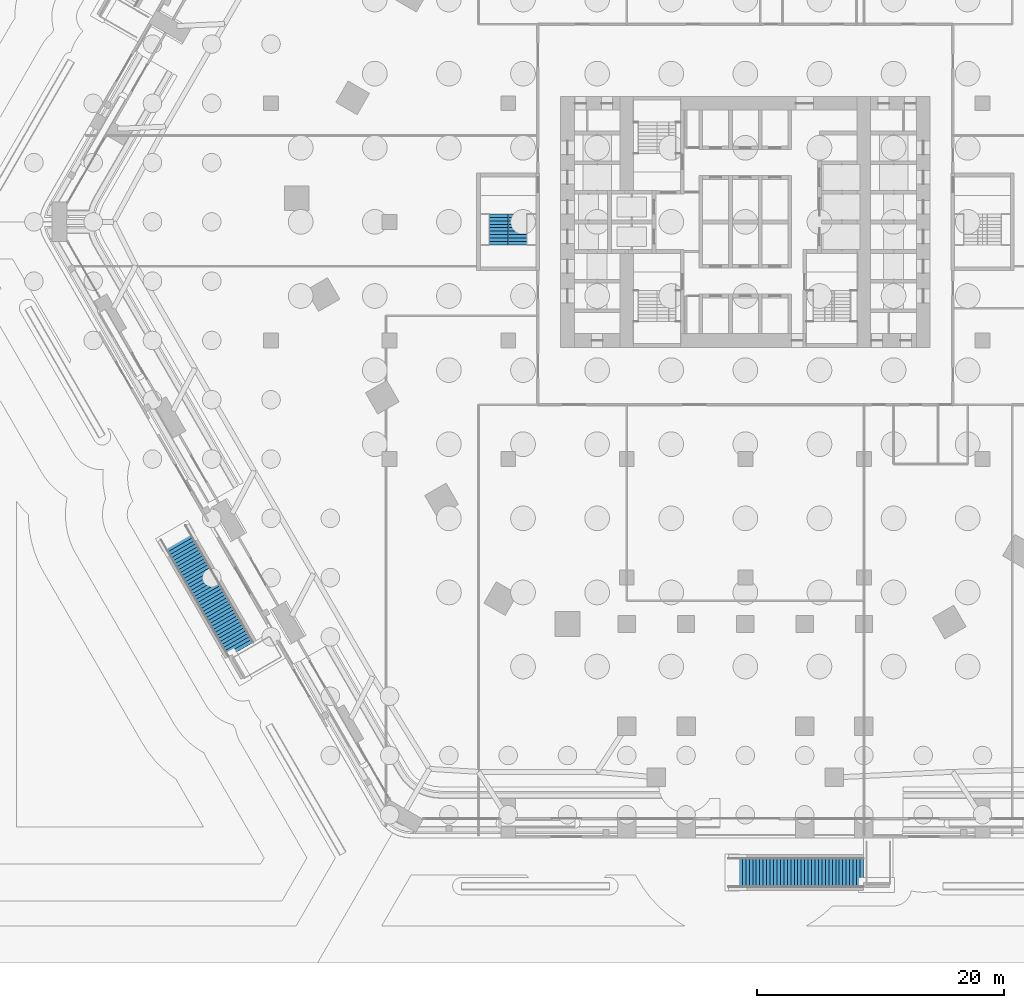
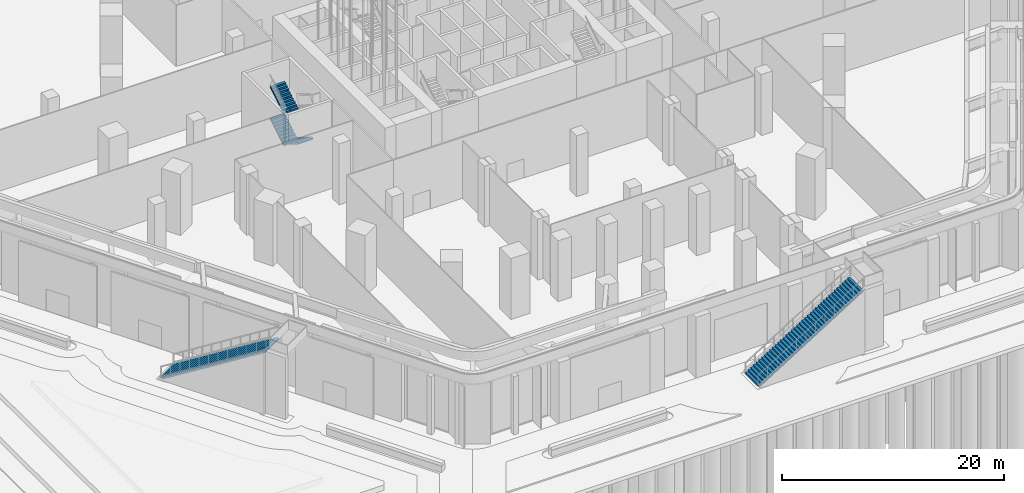
# One storey, part 21 of 68: 5 stair flights, 3 elements without a shape of their own.
"""IFC4 building model written with IfcOpenShell, lengths in metres."""

from ifc_helpers import new_model, si_unit, direction, frame, origin, place, context, subcontext, project, spatial, polyline, outline, extrude, material, type_object, element, aggregate, save


model = new_model("IFC4")

# Units and contexts
model_context = context("Model", 3, precision=1e-05, world=origin(), true_north=direction((0.0, 1.0)))
body_context = subcontext(model_context, "Body", "Model", "MODEL_VIEW")
ifc_project = project(units=[si_unit("LENGTHUNIT", "METRE"), si_unit("AREAUNIT", "SQUARE_METRE"), si_unit("VOLUMEUNIT", "CUBIC_METRE"), si_unit("PLANEANGLEUNIT", "RADIAN"), si_unit("MASSUNIT", "GRAM", prefix="KILO")], contexts=[model_context])

# Site, building, storey
site_placement = place(None, origin())
site = spatial("IfcSite", under=ifc_project, at=site_placement, CompositionType="ELEMENT")
building_placement = place(site_placement, origin())
building = spatial("IfcBuilding", under=site, at=building_placement, Name="Kolab Exchange Tower", CompositionType="ELEMENT")
storey_placement = place(building_placement, origin())
storey = spatial("IfcBuildingStorey", under=building, at=storey_placement, Name="L00", CompositionType="ELEMENT", Elevation=0.0)

# Stair, stair flight
ifc_material_1 = material(Name="Concrete C40/50", Category="concrete")
stair_type_1 = type_object("IfcStairType", Name="GARDEN STAIR RUN C", PredefinedType="STRAIGHT_RUN_STAIR", material=ifc_material_1)
stair_1_placement = place(storey_placement, origin())
stair_1 = element("IfcStair", 1, at=stair_1_placement, inside=storey, type_object=stair_type_1, Name="Garden stair GS4 run C", PredefinedType="STRAIGHT_RUN_STAIR")
stair_flight_type_1 = type_object("IfcStairFlightType", Name="GARDEN STAIR FLIGHT C", PredefinedType="STRAIGHT", material=ifc_material_1)
stair_flight_1_placement = place(storey_placement, frame((-1.360107421875, -52.68310546875, 0.0), z_axis=(0.0, 0.0, 1.0), x_axis=(1.0, 0.0, 0.0)))
stair_flight_1 = element("IfcStairFlight", 2, at=stair_flight_1_placement, type_object=stair_flight_type_1, Name="GS4 flight 1", NumberOfRisers=40, NumberOfTreads=39, PredefinedType="STRAIGHT", RiserHeight=0.175, TreadLength=0.28, context=body_context, shape_type="SweptSolid", body=[
    extrude(outline(polyline([(0.0, 0.0), (0.0, 0.175048828125), (0.280029296875, 0.175048828125), (0.280029296875, 0.35009765625), (0.56005859375, 0.35009765625), (0.56005859375, 0.52490234375), (0.840087890625, 0.52490234375), (0.840087890625, 0.699951171875), (1.1201171875, 0.699951171875), (1.1201171875, 0.875), (1.39990234375, 0.875), (1.39990234375, 1.050048828125), (1.679931640625, 1.050048828125), (1.679931640625, 1.22509765625), (1.9599609375, 1.22509765625), (1.9599609375, 1.39990234375), (2.239990234375, 1.39990234375), (2.239990234375, 1.574951171875), (2.52001953125, 1.574951171875), (2.52001953125, 1.75), (2.800048828125, 1.75), (2.800048828125, 1.925048828125), (3.080078125, 1.925048828125), (3.080078125, 2.10009765625), (3.360107421875, 2.10009765625), (3.360107421875, 2.27490234375), (3.639892578125, 2.27490234375), (3.639892578125, 2.449951171875), (3.919921875, 2.449951171875), (3.919921875, 2.625), (4.199951171875, 2.625), (4.199951171875, 2.800048828125), (4.47998046875, 2.800048828125), (4.47998046875, 2.97509765625), (4.760009765625, 2.97509765625), (4.760009765625, 3.14990234375), (5.0400390625, 3.14990234375), (5.0400390625, 3.324951171875), (5.320068359375, 3.324951171875), (5.320068359375, 3.5), (5.60009765625, 3.5), (5.60009765625, 3.675048828125), (5.8798828125, 3.675048828125), (5.8798828125, 3.85009765625), (6.159912109375, 3.85009765625), (6.159912109375, 4.02490234375), (6.43994140625, 4.02490234375), (6.43994140625, 4.199951171875), (6.719970703125, 4.199951171875), (6.719970703125, 4.375), (7.0, 4.375), (7.0, 4.550048828125), (7.280029296875, 4.550048828125), (7.280029296875, 4.72509765625), (7.56005859375, 4.72509765625), (7.56005859375, 4.89990234375), (7.840087890625, 4.89990234375), (7.840087890625, 5.074951171875), (8.1201171875, 5.074951171875), (8.1201171875, 5.25), (8.39990234375, 5.25), (8.39990234375, 5.425048828125), (8.679931640625, 5.425048828125), (8.679931640625, 5.60009765625), (8.9599609375, 5.60009765625), (8.9599609375, 5.77490234375), (9.239990234375, 5.77490234375), (9.239990234375, 5.949951171875), (9.52001953125, 5.949951171875), (9.52001953125, 6.125), (9.800048828125, 6.125), (9.800048828125, 6.300048828125), (10.080078125, 6.300048828125), (10.080078125, 6.47509765625), (10.360107421875, 6.47509765625), (10.360107421875, 6.64990234375), (10.639892578125, 6.64990234375), (10.639892578125, 6.824951171875), (10.919921875, 6.824951171875), (10.919921875, 7.0), (10.919921875, 6.648193359375), (0.28271484375, 0.0), (0.0, 0.0)])), frame((0.0, 1.199951171875, 0.0), z_axis=(0.0, -1.0, 0.0), x_axis=(1.0, 0.0, 0.0)), (0.0, 0.0, 1.0), 2.39990234375),
])
aggregate(stair_1, [stair_flight_1])

stair_2_placement = place(storey_placement, origin())
stair_2 = element("IfcStair", 3, at=stair_2_placement, inside=storey, type_object=stair_type_1, Name="Garden stair GS5 run C", PredefinedType="STRAIGHT_RUN_STAIR")
stair_flight_2_placement = place(storey_placement, frame((-46.304931640625, -25.163818359375, 0.0), z_axis=(0.0, 0.0, 1.0), x_axis=(0.5, -0.866025403784, 0.0)))
stair_flight_2 = element("IfcStairFlight", 4, at=stair_flight_2_placement, type_object=stair_flight_type_1, Name="GS5 flight 1", NumberOfRisers=40, NumberOfTreads=39, PredefinedType="STRAIGHT", RiserHeight=0.175, TreadLength=0.28, context=body_context, shape_type="SweptSolid", body=[
    extrude(outline(polyline([(0.0, 0.0), (0.0, 0.175048828125), (0.280029296875, 0.175048828125), (0.280029296875, 0.35009765625), (0.56005859375, 0.35009765625), (0.56005859375, 0.52490234375), (0.840087890625, 0.52490234375), (0.840087890625, 0.699951171875), (1.1201171875, 0.699951171875), (1.1201171875, 0.875), (1.39990234375, 0.875), (1.39990234375, 1.050048828125), (1.679931640625, 1.050048828125), (1.679931640625, 1.22509765625), (1.9599609375, 1.22509765625), (1.9599609375, 1.39990234375), (2.239990234375, 1.39990234375), (2.239990234375, 1.574951171875), (2.52001953125, 1.574951171875), (2.52001953125, 1.75), (2.800048828125, 1.75), (2.800048828125, 1.925048828125), (3.080078125, 1.925048828125), (3.080078125, 2.10009765625), (3.360107421875, 2.10009765625), (3.360107421875, 2.27490234375), (3.639892578125, 2.27490234375), (3.639892578125, 2.449951171875), (3.919921875, 2.449951171875), (3.919921875, 2.625), (4.199951171875, 2.625), (4.199951171875, 2.800048828125), (4.47998046875, 2.800048828125), (4.47998046875, 2.97509765625), (4.760009765625, 2.97509765625), (4.760009765625, 3.14990234375), (5.0400390625, 3.14990234375), (5.0400390625, 3.324951171875), (5.320068359375, 3.324951171875), (5.320068359375, 3.5), (5.60009765625, 3.5), (5.60009765625, 3.675048828125), (5.8798828125, 3.675048828125), (5.8798828125, 3.85009765625), (6.159912109375, 3.85009765625), (6.159912109375, 4.02490234375), (6.43994140625, 4.02490234375), (6.43994140625, 4.199951171875), (6.719970703125, 4.199951171875), (6.719970703125, 4.375), (7.0, 4.375), (7.0, 4.550048828125), (7.280029296875, 4.550048828125), (7.280029296875, 4.72509765625), (7.56005859375, 4.72509765625), (7.56005859375, 4.89990234375), (7.840087890625, 4.89990234375), (7.840087890625, 5.074951171875), (8.1201171875, 5.074951171875), (8.1201171875, 5.25), (8.39990234375, 5.25), (8.39990234375, 5.425048828125), (8.679931640625, 5.425048828125), (8.679931640625, 5.60009765625), (8.9599609375, 5.60009765625), (8.9599609375, 5.77490234375), (9.239990234375, 5.77490234375), (9.239990234375, 5.949951171875), (9.52001953125, 5.949951171875), (9.52001953125, 6.125), (9.800048828125, 6.125), (9.800048828125, 6.300048828125), (10.080078125, 6.300048828125), (10.080078125, 6.47509765625), (10.360107421875, 6.47509765625), (10.360107421875, 6.64990234375), (10.639892578125, 6.64990234375), (10.639892578125, 6.824951171875), (10.919921875, 6.824951171875), (10.919921875, 7.0), (10.919921875, 6.648193359375), (0.28271484375, 0.0), (0.0, 0.0)])), frame((0.0, 1.199951171875, 0.0), z_axis=(0.0, -1.0, 0.0), x_axis=(1.0, 0.0, 0.0)), (0.0, 0.0, 1.0), 2.39990234375),
])
aggregate(stair_2, [stair_flight_2])

# Stair, stair flights
ifc_material_2 = material(Name="Concrete C50/60", Category="concrete")
stair_type_2 = type_object("IfcStairType", Name="STAIR ST5 RISER 175", PredefinedType="DOUBLE_RETURN_STAIR", material=ifc_material_2)
stair_3_placement = place(storey_placement, origin())
stair_3 = element("IfcStair", 5, at=stair_3_placement, inside=storey, type_object=stair_type_2, Name="Stair 5", PredefinedType="DOUBLE_RETURN_STAIR")
stair_flight_type_2 = type_object("IfcStairFlightType", Name="STAIR FLIGHT 1500 RISER 175", PredefinedType="STRAIGHT", material=ifc_material_2)
stair_flight_3_placement = place(storey_placement, frame((-18.43994140625, 0.64990234375, 0.0), z_axis=(0.0, 0.0, 1.0), x_axis=(0.0, -1.0, 0.0)))
stair_flight_3 = element("IfcStairFlight", 6, at=stair_flight_3_placement, type_object=stair_flight_type_2, Name="ST5 flight 1", NumberOfRisers=10, NumberOfTreads=9, PredefinedType="STRAIGHT", RiserHeight=0.175, TreadLength=0.28, context=body_context, shape_type="SweptSolid", body=[
    extrude(outline(polyline([(0.0, 0.0), (0.0, 0.175048828125), (0.280029296875, 0.175048828125), (0.280029296875, 0.35009765625), (0.56005859375, 0.35009765625), (0.56005859375, 0.52490234375), (0.840087890625, 0.52490234375), (0.840087890625, 0.699951171875), (1.1201171875, 0.699951171875), (1.1201171875, 0.875), (1.39990234375, 0.875), (1.39990234375, 1.050048828125), (1.679931640625, 1.050048828125), (1.679931640625, 1.22509765625), (1.9599609375, 1.22509765625), (1.9599609375, 1.39990234375), (2.239990234375, 1.39990234375), (2.239990234375, 1.574951171875), (2.52001953125, 1.574951171875), (2.52001953125, 1.75), (2.52001953125, 1.398193359375), (0.28271484375, 0.0), (0.0, 0.0)])), frame((0.0, 0.75, 0.0), z_axis=(0.0, -1.0, 0.0), x_axis=(1.0, 0.0, 0.0)), (0.0, 0.0, 1.0), 0.185791015625),
    extrude(outline(polyline([(0.0, 0.0), (0.0, 0.175048828125), (0.280029296875, 0.175048828125), (0.280029296875, 0.35009765625), (0.56005859375, 0.35009765625), (0.56005859375, 0.52490234375), (0.840087890625, 0.52490234375), (0.840087890625, 0.699951171875), (1.1201171875, 0.699951171875), (1.1201171875, 0.875), (1.39990234375, 0.875), (1.39990234375, 1.050048828125), (1.679931640625, 1.050048828125), (1.679931640625, 1.22509765625), (1.9599609375, 1.22509765625), (1.9599609375, 1.39990234375), (2.239990234375, 1.39990234375), (2.239990234375, 1.574951171875), (2.52001953125, 1.574951171875), (2.52001953125, 1.75), (2.52001953125, 1.398193359375), (0.28271484375, 0.0), (0.0, 0.0)])), frame((0.0, 0.562255859375, 0.0), z_axis=(0.0, -1.0, 0.0), x_axis=(1.0, 0.0, 0.0)), (0.0, 0.0, 1.0), 0.185791015625),
    extrude(outline(polyline([(0.0, 0.0), (0.0, 0.175048828125), (0.280029296875, 0.175048828125), (0.280029296875, 0.35009765625), (0.56005859375, 0.35009765625), (0.56005859375, 0.52490234375), (0.840087890625, 0.52490234375), (0.840087890625, 0.699951171875), (1.1201171875, 0.699951171875), (1.1201171875, 0.875), (1.39990234375, 0.875), (1.39990234375, 1.050048828125), (1.679931640625, 1.050048828125), (1.679931640625, 1.22509765625), (1.9599609375, 1.22509765625), (1.9599609375, 1.39990234375), (2.239990234375, 1.39990234375), (2.239990234375, 1.574951171875), (2.52001953125, 1.574951171875), (2.52001953125, 1.75), (2.52001953125, 1.398193359375), (0.28271484375, 0.0), (0.0, 0.0)])), frame((0.0, 0.37451171875, 0.0), z_axis=(0.0, -1.0, 0.0), x_axis=(1.0, 0.0, 0.0)), (0.0, 0.0, 1.0), 0.185791015625),
    extrude(outline(polyline([(0.0, 0.0), (0.0, 0.175048828125), (0.280029296875, 0.175048828125), (0.280029296875, 0.35009765625), (0.56005859375, 0.35009765625), (0.56005859375, 0.52490234375), (0.840087890625, 0.52490234375), (0.840087890625, 0.699951171875), (1.1201171875, 0.699951171875), (1.1201171875, 0.875), (1.39990234375, 0.875), (1.39990234375, 1.050048828125), (1.679931640625, 1.050048828125), (1.679931640625, 1.22509765625), (1.9599609375, 1.22509765625), (1.9599609375, 1.39990234375), (2.239990234375, 1.39990234375), (2.239990234375, 1.574951171875), (2.52001953125, 1.574951171875), (2.52001953125, 1.75), (2.52001953125, 1.398193359375), (0.28271484375, 0.0), (0.0, 0.0)])), frame((0.0, 0.186767578125, 0.0), z_axis=(0.0, -1.0, 0.0), x_axis=(1.0, 0.0, 0.0)), (0.0, 0.0, 1.0), 0.185791015625),
    extrude(outline(polyline([(0.0, 0.0), (0.0, 0.175048828125), (0.280029296875, 0.175048828125), (0.280029296875, 0.35009765625), (0.56005859375, 0.35009765625), (0.56005859375, 0.52490234375), (0.840087890625, 0.52490234375), (0.840087890625, 0.699951171875), (1.1201171875, 0.699951171875), (1.1201171875, 0.875), (1.39990234375, 0.875), (1.39990234375, 1.050048828125), (1.679931640625, 1.050048828125), (1.679931640625, 1.22509765625), (1.9599609375, 1.22509765625), (1.9599609375, 1.39990234375), (2.239990234375, 1.39990234375), (2.239990234375, 1.574951171875), (2.52001953125, 1.574951171875), (2.52001953125, 1.75), (2.52001953125, 1.398193359375), (0.28271484375, 0.0), (0.0, 0.0)])), frame((0.0, -0.0009765625, 0.0), z_axis=(0.0, -1.0, 0.0), x_axis=(1.0, 0.0, 0.0)), (0.0, 0.0, 1.0), 0.185791015625),
    extrude(outline(polyline([(0.0, 0.0), (0.0, 0.175048828125), (0.280029296875, 0.175048828125), (0.280029296875, 0.35009765625), (0.56005859375, 0.35009765625), (0.56005859375, 0.52490234375), (0.840087890625, 0.52490234375), (0.840087890625, 0.699951171875), (1.1201171875, 0.699951171875), (1.1201171875, 0.875), (1.39990234375, 0.875), (1.39990234375, 1.050048828125), (1.679931640625, 1.050048828125), (1.679931640625, 1.22509765625), (1.9599609375, 1.22509765625), (1.9599609375, 1.39990234375), (2.239990234375, 1.39990234375), (2.239990234375, 1.574951171875), (2.52001953125, 1.574951171875), (2.52001953125, 1.75), (2.52001953125, 1.398193359375), (0.28271484375, 0.0), (0.0, 0.0)])), frame((0.0, -0.188720703125, 0.0), z_axis=(0.0, -1.0, 0.0), x_axis=(1.0, 0.0, 0.0)), (0.0, 0.0, 1.0), 0.185791015625),
    extrude(outline(polyline([(0.0, 0.0), (0.0, 0.175048828125), (0.280029296875, 0.175048828125), (0.280029296875, 0.35009765625), (0.56005859375, 0.35009765625), (0.56005859375, 0.52490234375), (0.840087890625, 0.52490234375), (0.840087890625, 0.699951171875), (1.1201171875, 0.699951171875), (1.1201171875, 0.875), (1.39990234375, 0.875), (1.39990234375, 1.050048828125), (1.679931640625, 1.050048828125), (1.679931640625, 1.22509765625), (1.9599609375, 1.22509765625), (1.9599609375, 1.39990234375), (2.239990234375, 1.39990234375), (2.239990234375, 1.574951171875), (2.52001953125, 1.574951171875), (2.52001953125, 1.75), (2.52001953125, 1.398193359375), (0.28271484375, 0.0), (0.0, 0.0)])), frame((0.0, -0.37646484375, 0.0), z_axis=(0.0, -1.0, 0.0), x_axis=(1.0, 0.0, 0.0)), (0.0, 0.0, 1.0), 0.185791015625),
    extrude(outline(polyline([(0.0, 0.0), (0.0, 0.175048828125), (0.280029296875, 0.175048828125), (0.280029296875, 0.35009765625), (0.56005859375, 0.35009765625), (0.56005859375, 0.52490234375), (0.840087890625, 0.52490234375), (0.840087890625, 0.699951171875), (1.1201171875, 0.699951171875), (1.1201171875, 0.875), (1.39990234375, 0.875), (1.39990234375, 1.050048828125), (1.679931640625, 1.050048828125), (1.679931640625, 1.22509765625), (1.9599609375, 1.22509765625), (1.9599609375, 1.39990234375), (2.239990234375, 1.39990234375), (2.239990234375, 1.574951171875), (2.52001953125, 1.574951171875), (2.52001953125, 1.75), (2.52001953125, 1.398193359375), (0.28271484375, 0.0), (0.0, 0.0)])), frame((0.0, -0.564208984375, 0.0), z_axis=(0.0, -1.0, 0.0), x_axis=(1.0, 0.0, 0.0)), (0.0, 0.0, 1.0), 0.185791015625),
])
stair_flight_4_placement = place(storey_placement, frame((-19.9599609375, -1.8701171875, 1.75), z_axis=(0.0, 0.0, 1.0), x_axis=(0.0, 1.0, 0.0)))
stair_flight_4 = element("IfcStairFlight", 7, at=stair_flight_4_placement, type_object=stair_flight_type_2, Name="ST5 flight 2", NumberOfRisers=10, NumberOfTreads=9, PredefinedType="STRAIGHT", RiserHeight=0.175, TreadLength=0.28, context=body_context, shape_type="SweptSolid", body=[
    extrude(outline(polyline([(0.0, 0.0), (0.0, 0.175048828125), (0.280029296875, 0.175048828125), (0.280029296875, 0.35009765625), (0.56005859375, 0.35009765625), (0.56005859375, 0.52490234375), (0.840087890625, 0.52490234375), (0.840087890625, 0.699951171875), (1.1201171875, 0.699951171875), (1.1201171875, 0.875), (1.39990234375, 0.875), (1.39990234375, 1.050048828125), (1.679931640625, 1.050048828125), (1.679931640625, 1.22509765625), (1.9599609375, 1.22509765625), (1.9599609375, 1.39990234375), (2.239990234375, 1.39990234375), (2.239990234375, 1.574951171875), (2.52001953125, 1.574951171875), (2.52001953125, 1.75), (2.52001953125, 1.398193359375), (0.28271484375, 0.0), (0.0, 0.0)])), frame((0.0, 0.75, 0.0), z_axis=(0.0, -1.0, 0.0), x_axis=(1.0, 0.0, 0.0)), (0.0, 0.0, 1.0), 0.185791015625),
    extrude(outline(polyline([(0.0, 0.0), (0.0, 0.175048828125), (0.280029296875, 0.175048828125), (0.280029296875, 0.35009765625), (0.56005859375, 0.35009765625), (0.56005859375, 0.52490234375), (0.840087890625, 0.52490234375), (0.840087890625, 0.699951171875), (1.1201171875, 0.699951171875), (1.1201171875, 0.875), (1.39990234375, 0.875), (1.39990234375, 1.050048828125), (1.679931640625, 1.050048828125), (1.679931640625, 1.22509765625), (1.9599609375, 1.22509765625), (1.9599609375, 1.39990234375), (2.239990234375, 1.39990234375), (2.239990234375, 1.574951171875), (2.52001953125, 1.574951171875), (2.52001953125, 1.75), (2.52001953125, 1.398193359375), (0.28271484375, 0.0), (0.0, 0.0)])), frame((0.0, 0.562255859375, 0.0), z_axis=(0.0, -1.0, 0.0), x_axis=(1.0, 0.0, 0.0)), (0.0, 0.0, 1.0), 0.185791015625),
    extrude(outline(polyline([(0.0, 0.0), (0.0, 0.175048828125), (0.280029296875, 0.175048828125), (0.280029296875, 0.35009765625), (0.56005859375, 0.35009765625), (0.56005859375, 0.52490234375), (0.840087890625, 0.52490234375), (0.840087890625, 0.699951171875), (1.1201171875, 0.699951171875), (1.1201171875, 0.875), (1.39990234375, 0.875), (1.39990234375, 1.050048828125), (1.679931640625, 1.050048828125), (1.679931640625, 1.22509765625), (1.9599609375, 1.22509765625), (1.9599609375, 1.39990234375), (2.239990234375, 1.39990234375), (2.239990234375, 1.574951171875), (2.52001953125, 1.574951171875), (2.52001953125, 1.75), (2.52001953125, 1.398193359375), (0.28271484375, 0.0), (0.0, 0.0)])), frame((0.0, 0.37451171875, 0.0), z_axis=(0.0, -1.0, 0.0), x_axis=(1.0, 0.0, 0.0)), (0.0, 0.0, 1.0), 0.185791015625),
    extrude(outline(polyline([(0.0, 0.0), (0.0, 0.175048828125), (0.280029296875, 0.175048828125), (0.280029296875, 0.35009765625), (0.56005859375, 0.35009765625), (0.56005859375, 0.52490234375), (0.840087890625, 0.52490234375), (0.840087890625, 0.699951171875), (1.1201171875, 0.699951171875), (1.1201171875, 0.875), (1.39990234375, 0.875), (1.39990234375, 1.050048828125), (1.679931640625, 1.050048828125), (1.679931640625, 1.22509765625), (1.9599609375, 1.22509765625), (1.9599609375, 1.39990234375), (2.239990234375, 1.39990234375), (2.239990234375, 1.574951171875), (2.52001953125, 1.574951171875), (2.52001953125, 1.75), (2.52001953125, 1.398193359375), (0.28271484375, 0.0), (0.0, 0.0)])), frame((0.0, 0.186767578125, 0.0), z_axis=(0.0, -1.0, 0.0), x_axis=(1.0, 0.0, 0.0)), (0.0, 0.0, 1.0), 0.185791015625),
    extrude(outline(polyline([(0.0, 0.0), (0.0, 0.175048828125), (0.280029296875, 0.175048828125), (0.280029296875, 0.35009765625), (0.56005859375, 0.35009765625), (0.56005859375, 0.52490234375), (0.840087890625, 0.52490234375), (0.840087890625, 0.699951171875), (1.1201171875, 0.699951171875), (1.1201171875, 0.875), (1.39990234375, 0.875), (1.39990234375, 1.050048828125), (1.679931640625, 1.050048828125), (1.679931640625, 1.22509765625), (1.9599609375, 1.22509765625), (1.9599609375, 1.39990234375), (2.239990234375, 1.39990234375), (2.239990234375, 1.574951171875), (2.52001953125, 1.574951171875), (2.52001953125, 1.75), (2.52001953125, 1.398193359375), (0.28271484375, 0.0), (0.0, 0.0)])), frame((0.0, -0.0009765625, 0.0), z_axis=(0.0, -1.0, 0.0), x_axis=(1.0, 0.0, 0.0)), (0.0, 0.0, 1.0), 0.185791015625),
    extrude(outline(polyline([(0.0, 0.0), (0.0, 0.175048828125), (0.280029296875, 0.175048828125), (0.280029296875, 0.35009765625), (0.56005859375, 0.35009765625), (0.56005859375, 0.52490234375), (0.840087890625, 0.52490234375), (0.840087890625, 0.699951171875), (1.1201171875, 0.699951171875), (1.1201171875, 0.875), (1.39990234375, 0.875), (1.39990234375, 1.050048828125), (1.679931640625, 1.050048828125), (1.679931640625, 1.22509765625), (1.9599609375, 1.22509765625), (1.9599609375, 1.39990234375), (2.239990234375, 1.39990234375), (2.239990234375, 1.574951171875), (2.52001953125, 1.574951171875), (2.52001953125, 1.75), (2.52001953125, 1.398193359375), (0.28271484375, 0.0), (0.0, 0.0)])), frame((0.0, -0.188720703125, 0.0), z_axis=(0.0, -1.0, 0.0), x_axis=(1.0, 0.0, 0.0)), (0.0, 0.0, 1.0), 0.185791015625),
    extrude(outline(polyline([(0.0, 0.0), (0.0, 0.175048828125), (0.280029296875, 0.175048828125), (0.280029296875, 0.35009765625), (0.56005859375, 0.35009765625), (0.56005859375, 0.52490234375), (0.840087890625, 0.52490234375), (0.840087890625, 0.699951171875), (1.1201171875, 0.699951171875), (1.1201171875, 0.875), (1.39990234375, 0.875), (1.39990234375, 1.050048828125), (1.679931640625, 1.050048828125), (1.679931640625, 1.22509765625), (1.9599609375, 1.22509765625), (1.9599609375, 1.39990234375), (2.239990234375, 1.39990234375), (2.239990234375, 1.574951171875), (2.52001953125, 1.574951171875), (2.52001953125, 1.75), (2.52001953125, 1.398193359375), (0.28271484375, 0.0), (0.0, 0.0)])), frame((0.0, -0.37646484375, 0.0), z_axis=(0.0, -1.0, 0.0), x_axis=(1.0, 0.0, 0.0)), (0.0, 0.0, 1.0), 0.185791015625),
    extrude(outline(polyline([(0.0, 0.0), (0.0, 0.175048828125), (0.280029296875, 0.175048828125), (0.280029296875, 0.35009765625), (0.56005859375, 0.35009765625), (0.56005859375, 0.52490234375), (0.840087890625, 0.52490234375), (0.840087890625, 0.699951171875), (1.1201171875, 0.699951171875), (1.1201171875, 0.875), (1.39990234375, 0.875), (1.39990234375, 1.050048828125), (1.679931640625, 1.050048828125), (1.679931640625, 1.22509765625), (1.9599609375, 1.22509765625), (1.9599609375, 1.39990234375), (2.239990234375, 1.39990234375), (2.239990234375, 1.574951171875), (2.52001953125, 1.574951171875), (2.52001953125, 1.75), (2.52001953125, 1.398193359375), (0.28271484375, 0.0), (0.0, 0.0)])), frame((0.0, -0.564208984375, 0.0), z_axis=(0.0, -1.0, 0.0), x_axis=(1.0, 0.0, 0.0)), (0.0, 0.0, 1.0), 0.185791015625),
])
stair_flight_5_placement = place(storey_placement, frame((-19.9599609375, -1.8701171875, 5.25), z_axis=(0.0, 0.0, 1.0), x_axis=(0.0, 1.0, 0.0)))
stair_flight_5 = element("IfcStairFlight", 8, at=stair_flight_5_placement, type_object=stair_flight_type_2, Name="ST5 flight 4", NumberOfRisers=10, NumberOfTreads=9, PredefinedType="STRAIGHT", RiserHeight=0.175, TreadLength=0.28, context=body_context, shape_type="SweptSolid", body=[
    extrude(outline(polyline([(0.0, 0.0), (0.0, 0.175048828125), (0.280029296875, 0.175048828125), (0.280029296875, 0.35009765625), (0.56005859375, 0.35009765625), (0.56005859375, 0.52490234375), (0.840087890625, 0.52490234375), (0.840087890625, 0.699951171875), (1.1201171875, 0.699951171875), (1.1201171875, 0.875), (1.39990234375, 0.875), (1.39990234375, 1.050048828125), (1.679931640625, 1.050048828125), (1.679931640625, 1.22509765625), (1.9599609375, 1.22509765625), (1.9599609375, 1.39990234375), (2.239990234375, 1.39990234375), (2.239990234375, 1.574951171875), (2.52001953125, 1.574951171875), (2.52001953125, 1.75), (2.52001953125, 1.398193359375), (0.28271484375, 0.0), (0.0, 0.0)])), frame((0.0, 0.75, 0.0), z_axis=(0.0, -1.0, 0.0), x_axis=(1.0, 0.0, 0.0)), (0.0, 0.0, 1.0), 0.185791015625),
    extrude(outline(polyline([(0.0, 0.0), (0.0, 0.175048828125), (0.280029296875, 0.175048828125), (0.280029296875, 0.35009765625), (0.56005859375, 0.35009765625), (0.56005859375, 0.52490234375), (0.840087890625, 0.52490234375), (0.840087890625, 0.699951171875), (1.1201171875, 0.699951171875), (1.1201171875, 0.875), (1.39990234375, 0.875), (1.39990234375, 1.050048828125), (1.679931640625, 1.050048828125), (1.679931640625, 1.22509765625), (1.9599609375, 1.22509765625), (1.9599609375, 1.39990234375), (2.239990234375, 1.39990234375), (2.239990234375, 1.574951171875), (2.52001953125, 1.574951171875), (2.52001953125, 1.75), (2.52001953125, 1.398193359375), (0.28271484375, 0.0), (0.0, 0.0)])), frame((0.0, 0.562255859375, 0.0), z_axis=(0.0, -1.0, 0.0), x_axis=(1.0, 0.0, 0.0)), (0.0, 0.0, 1.0), 0.185791015625),
    extrude(outline(polyline([(0.0, 0.0), (0.0, 0.175048828125), (0.280029296875, 0.175048828125), (0.280029296875, 0.35009765625), (0.56005859375, 0.35009765625), (0.56005859375, 0.52490234375), (0.840087890625, 0.52490234375), (0.840087890625, 0.699951171875), (1.1201171875, 0.699951171875), (1.1201171875, 0.875), (1.39990234375, 0.875), (1.39990234375, 1.050048828125), (1.679931640625, 1.050048828125), (1.679931640625, 1.22509765625), (1.9599609375, 1.22509765625), (1.9599609375, 1.39990234375), (2.239990234375, 1.39990234375), (2.239990234375, 1.574951171875), (2.52001953125, 1.574951171875), (2.52001953125, 1.75), (2.52001953125, 1.398193359375), (0.28271484375, 0.0), (0.0, 0.0)])), frame((0.0, 0.37451171875, 0.0), z_axis=(0.0, -1.0, 0.0), x_axis=(1.0, 0.0, 0.0)), (0.0, 0.0, 1.0), 0.185791015625),
    extrude(outline(polyline([(0.0, 0.0), (0.0, 0.175048828125), (0.280029296875, 0.175048828125), (0.280029296875, 0.35009765625), (0.56005859375, 0.35009765625), (0.56005859375, 0.52490234375), (0.840087890625, 0.52490234375), (0.840087890625, 0.699951171875), (1.1201171875, 0.699951171875), (1.1201171875, 0.875), (1.39990234375, 0.875), (1.39990234375, 1.050048828125), (1.679931640625, 1.050048828125), (1.679931640625, 1.22509765625), (1.9599609375, 1.22509765625), (1.9599609375, 1.39990234375), (2.239990234375, 1.39990234375), (2.239990234375, 1.574951171875), (2.52001953125, 1.574951171875), (2.52001953125, 1.75), (2.52001953125, 1.398193359375), (0.28271484375, 0.0), (0.0, 0.0)])), frame((0.0, 0.186767578125, 0.0), z_axis=(0.0, -1.0, 0.0), x_axis=(1.0, 0.0, 0.0)), (0.0, 0.0, 1.0), 0.185791015625),
    extrude(outline(polyline([(0.0, 0.0), (0.0, 0.175048828125), (0.280029296875, 0.175048828125), (0.280029296875, 0.35009765625), (0.56005859375, 0.35009765625), (0.56005859375, 0.52490234375), (0.840087890625, 0.52490234375), (0.840087890625, 0.699951171875), (1.1201171875, 0.699951171875), (1.1201171875, 0.875), (1.39990234375, 0.875), (1.39990234375, 1.050048828125), (1.679931640625, 1.050048828125), (1.679931640625, 1.22509765625), (1.9599609375, 1.22509765625), (1.9599609375, 1.39990234375), (2.239990234375, 1.39990234375), (2.239990234375, 1.574951171875), (2.52001953125, 1.574951171875), (2.52001953125, 1.75), (2.52001953125, 1.398193359375), (0.28271484375, 0.0), (0.0, 0.0)])), frame((0.0, -0.0009765625, 0.0), z_axis=(0.0, -1.0, 0.0), x_axis=(1.0, 0.0, 0.0)), (0.0, 0.0, 1.0), 0.185791015625),
    extrude(outline(polyline([(0.0, 0.0), (0.0, 0.175048828125), (0.280029296875, 0.175048828125), (0.280029296875, 0.35009765625), (0.56005859375, 0.35009765625), (0.56005859375, 0.52490234375), (0.840087890625, 0.52490234375), (0.840087890625, 0.699951171875), (1.1201171875, 0.699951171875), (1.1201171875, 0.875), (1.39990234375, 0.875), (1.39990234375, 1.050048828125), (1.679931640625, 1.050048828125), (1.679931640625, 1.22509765625), (1.9599609375, 1.22509765625), (1.9599609375, 1.39990234375), (2.239990234375, 1.39990234375), (2.239990234375, 1.574951171875), (2.52001953125, 1.574951171875), (2.52001953125, 1.75), (2.52001953125, 1.398193359375), (0.28271484375, 0.0), (0.0, 0.0)])), frame((0.0, -0.188720703125, 0.0), z_axis=(0.0, -1.0, 0.0), x_axis=(1.0, 0.0, 0.0)), (0.0, 0.0, 1.0), 0.185791015625),
    extrude(outline(polyline([(0.0, 0.0), (0.0, 0.175048828125), (0.280029296875, 0.175048828125), (0.280029296875, 0.35009765625), (0.56005859375, 0.35009765625), (0.56005859375, 0.52490234375), (0.840087890625, 0.52490234375), (0.840087890625, 0.699951171875), (1.1201171875, 0.699951171875), (1.1201171875, 0.875), (1.39990234375, 0.875), (1.39990234375, 1.050048828125), (1.679931640625, 1.050048828125), (1.679931640625, 1.22509765625), (1.9599609375, 1.22509765625), (1.9599609375, 1.39990234375), (2.239990234375, 1.39990234375), (2.239990234375, 1.574951171875), (2.52001953125, 1.574951171875), (2.52001953125, 1.75), (2.52001953125, 1.398193359375), (0.28271484375, 0.0), (0.0, 0.0)])), frame((0.0, -0.37646484375, 0.0), z_axis=(0.0, -1.0, 0.0), x_axis=(1.0, 0.0, 0.0)), (0.0, 0.0, 1.0), 0.185791015625),
    extrude(outline(polyline([(0.0, 0.0), (0.0, 0.175048828125), (0.280029296875, 0.175048828125), (0.280029296875, 0.35009765625), (0.56005859375, 0.35009765625), (0.56005859375, 0.52490234375), (0.840087890625, 0.52490234375), (0.840087890625, 0.699951171875), (1.1201171875, 0.699951171875), (1.1201171875, 0.875), (1.39990234375, 0.875), (1.39990234375, 1.050048828125), (1.679931640625, 1.050048828125), (1.679931640625, 1.22509765625), (1.9599609375, 1.22509765625), (1.9599609375, 1.39990234375), (2.239990234375, 1.39990234375), (2.239990234375, 1.574951171875), (2.52001953125, 1.574951171875), (2.52001953125, 1.75), (2.52001953125, 1.398193359375), (0.28271484375, 0.0), (0.0, 0.0)])), frame((0.0, -0.564208984375, 0.0), z_axis=(0.0, -1.0, 0.0), x_axis=(1.0, 0.0, 0.0)), (0.0, 0.0, 1.0), 0.185791015625),
])
aggregate(stair_3, [stair_flight_3, stair_flight_4, stair_flight_5])

save(model, "model.ifc")
